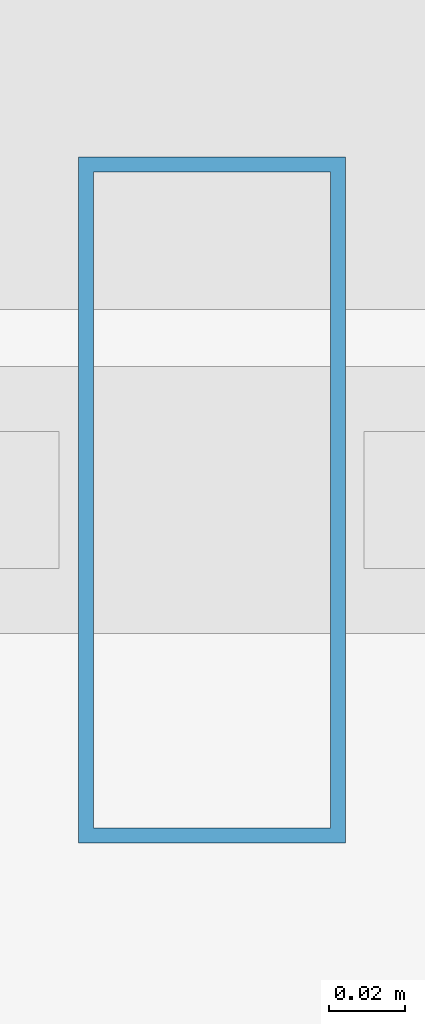
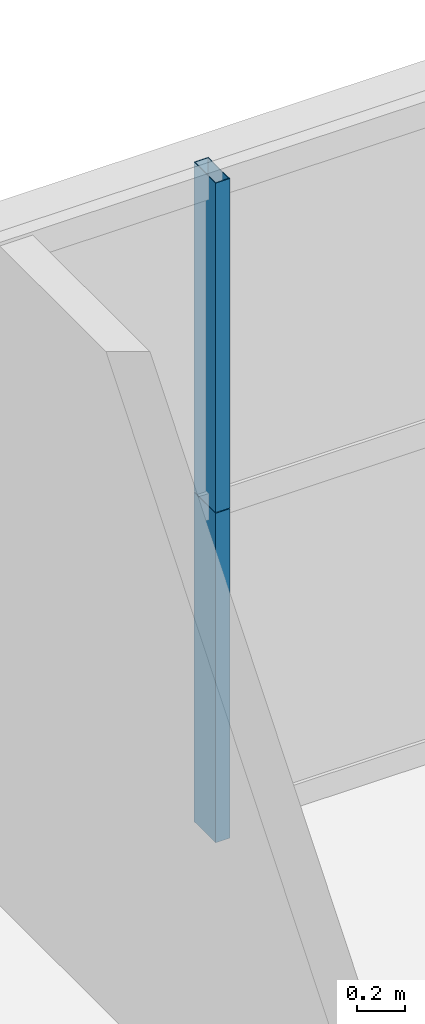
# One storey, part 35 of 43: 2 members, 1 element without a shape of its own.
"""IFC4 building model written with IfcOpenShell, lengths in metres."""

from ifc_helpers import new_model, si_unit, direction, frame, origin, origin_2d, place, context, subcontext, project, spatial, hollow_rectangle, extrude, source, transform, mapped, material, layer, layer_set, material_profile, profile_set, type_object, element, aggregate, save


model = new_model("IFC4")

# Units and contexts
model_context = context("Model", 3, precision=1e-05, world=origin(), true_north=direction((0.0, 1.0)))
body_context = subcontext(model_context, "Body", "Model", "MODEL_VIEW")
ifc_project = project(units=[si_unit("LENGTHUNIT", "METRE"), si_unit("AREAUNIT", "SQUARE_METRE"), si_unit("VOLUMEUNIT", "CUBIC_METRE"), si_unit("PLANEANGLEUNIT", "RADIAN"), si_unit("MASSUNIT", "GRAM", prefix="KILO"), si_unit("THERMODYNAMICTEMPERATUREUNIT", "KELVIN"), si_unit("POWERUNIT", "WATT")], contexts=[model_context])

# Site, building, storey
site_placement = place(None, origin())
site = spatial("IfcSite", under=ifc_project, at=site_placement, CompositionType="ELEMENT")
building_placement = place(site_placement, origin())
building = spatial("IfcBuilding", under=site, at=building_placement, Name="Yuzanri Waterfront Tower", CompositionType="ELEMENT")
storey_placement = place(building_placement, frame((0.0, 0.0, 46.0)))
storey = spatial("IfcBuildingStorey", under=building, at=storey_placement, Name="L11", CompositionType="ELEMENT", Elevation=46.0)

# Curtain wall, members
ifc_material_1 = material(Name="Anodized Architectural Bronze", Category="metal")
ifc_layer = layer(ifc_material_1, 0.159912109375)
ifc_layer_set = layer_set([ifc_layer], Name="Anodized Architectural Bronze")
curtain_wall_type = type_object("IfcCurtainWallType", Name="Anodized Bronze Hotel Lower-Tier Recessed Unitized Curtain Wall 8100", PredefinedType="NOTDEFINED", material=ifc_layer_set)
curtain_wall_placement = place(storey_placement, origin())
curtain_wall = element("IfcCurtainWall", 1, at=curtain_wall_placement, inside=storey, type_object=curtain_wall_type, Name="L11 Curtain Wall CW-L11-NR", PredefinedType="NOTDEFINED")
ifc_material_2 = material(Name="Anodized Architectural Bronze", Category="metal")
ifc_material_profile = material_profile(ifc_material_2, hollow_rectangle(XDim=0.070068359375, YDim=0.179931640625, WallThickness=0.00390625, at=origin_2d()), Name="CWM 70x180")
ifc_profile_set = profile_set([ifc_material_profile], Name="Anodized Architectural Bronze")
member_type = type_object("IfcMemberType", Name="Anodized Bronze Standard Curtain-Wall Mullion 70x180", PredefinedType="MULLION", material=ifc_profile_set)
shared_shape = source(origin(), body_context, "Body", "SweptSolid", [
    extrude(hollow_rectangle(XDim=0.070068359375, YDim=0.179931640625, WallThickness=0.00390625, at=origin_2d()), origin(), (0.0, 0.0, 1.0), 1.68798828125),
])
member_1_placement = place(storey_placement, frame((46.10009765625, 50.75, 0.0), z_axis=(0.0, 0.0, 1.0), x_axis=(1.0, 0.0, 0.0)))
member_1 = element("IfcMember", 2, at=member_1_placement, type_object=member_type, Name="CW-L11-NR Lower Mullion 01", PredefinedType="MULLION", context=body_context, shape_type="MappedRepresentation", body=[
    mapped(shared_shape, transform((0.0, 0.0, 0.0), scale=1.0)),
])
member_2_placement = place(storey_placement, frame((46.10009765625, 50.75, 1.69189453125), z_axis=(0.0, 0.0, 1.0), x_axis=(1.0, 0.0, 0.0)))
member_2 = element("IfcMember", 3, at=member_2_placement, type_object=member_type, Name="CW-L11-NR Upper Mullion 01", PredefinedType="MULLION", context=body_context, shape_type="MappedRepresentation", body=[
    mapped(shared_shape, transform((0.0, 0.0, 0.0), scale=1.0)),
])
aggregate(curtain_wall, [member_1, member_2])

save(model, "model.ifc")
